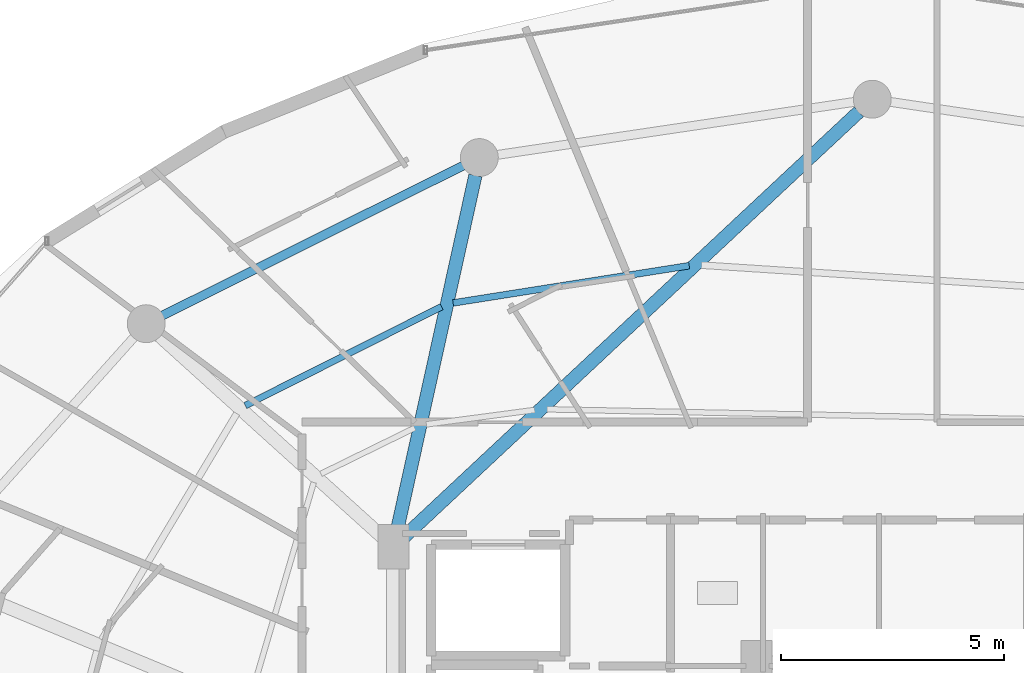
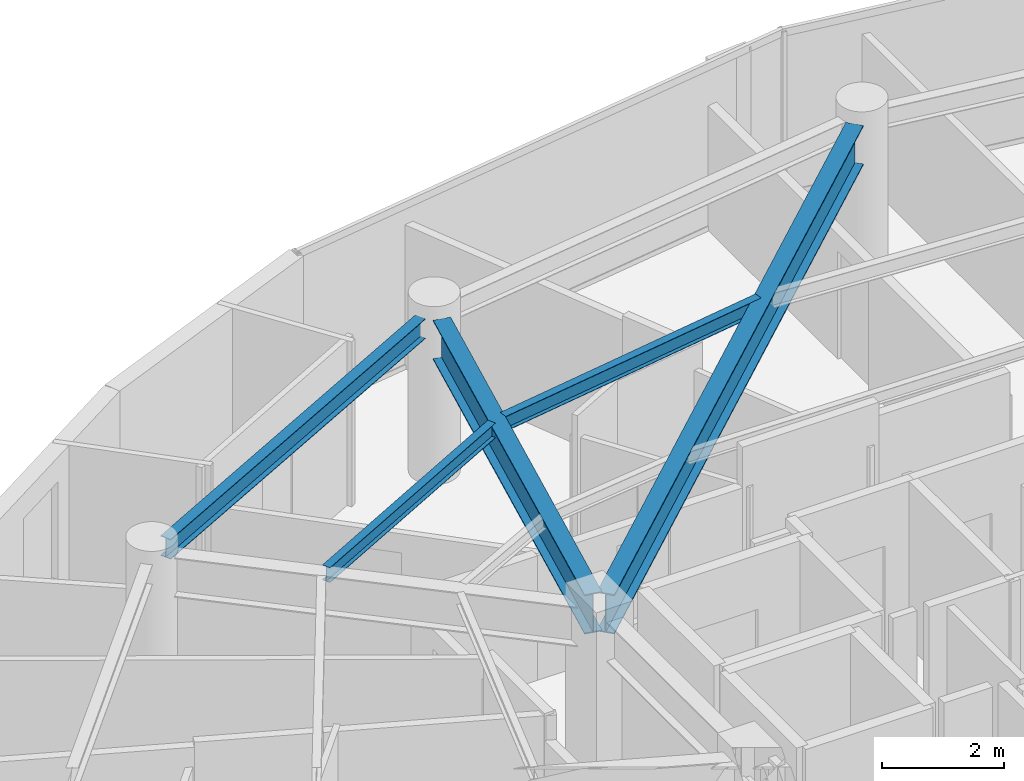
# One storey, part 17 of 31: 5 beams.
"""IFC4 building model written with IfcOpenShell, lengths in metres."""

from ifc_helpers import new_model, si_unit, direction, frame, origin, origin_2d, place, context, subcontext, project, spatial, i_section, extrude, material, material_profile, profile_set, type_object, element, save


model = new_model("IFC4")

# Units and contexts
model_context = context("Model", 3, precision=1e-05, world=origin(), true_north=direction((0.0, 1.0)))
body_context = subcontext(model_context, "Body", "Model", "MODEL_VIEW")
ifc_project = project(units=[si_unit("LENGTHUNIT", "METRE"), si_unit("AREAUNIT", "SQUARE_METRE"), si_unit("VOLUMEUNIT", "CUBIC_METRE"), si_unit("PLANEANGLEUNIT", "RADIAN"), si_unit("MASSUNIT", "GRAM", prefix="KILO")], contexts=[model_context])

# Site, building, storey
site_placement = place(None, origin())
site = spatial("IfcSite", under=ifc_project, at=site_placement, CompositionType="ELEMENT")
building_placement = place(site_placement, origin())
building = spatial("IfcBuilding", under=site, at=building_placement, Name="Vorneva Point Tower", CompositionType="ELEMENT")
storey_placement = place(building_placement, frame((0.0, 0.0, 248.449951171875)))
storey = spatial("IfcBuildingStorey", under=building, at=storey_placement, Name="L67", CompositionType="ELEMENT", Elevation=248.449951171875)

# Beams
ifc_material = material(Name="Steel S355", Category="steel")
ifc_material_profile_1 = material_profile(ifc_material, i_section(OverallWidth=0.300048828125, OverallDepth=0.7880859375, WebThickness=0.014404296875, FlangeThickness=0.02197265625, at=origin_2d()), Name="80Sh1")
ifc_profile_set_1 = profile_set([ifc_material_profile_1], Name="Steel S355")
beam_type_1 = type_object("IfcBeamType", Name="BM-GRD-80Sh1", PredefinedType="USERDEFINED", material=ifc_profile_set_1)
beam_1_placement = place(storey_placement, frame((37.6982421875, 42.91796875, 2.89599609375), z_axis=(-0.730485790946, -0.682927894602, 0.0), x_axis=(0.682927894602, -0.730485790946, 0.0)))
element("IfcBeam", 1, at=beam_1_placement, inside=storey, type_object=beam_type_1, Name="L67 Radial Primary Girder 05", ObjectType="GIRDER", PredefinedType="USERDEFINED", context=body_context, shape_type="SweptSolid", body=[
    extrude(i_section(OverallWidth=0.300048828125, OverallDepth=0.7880859375, WebThickness=0.014404296875, FlangeThickness=0.02197265625, at=origin_2d()), origin(), (0.0, 0.0, 1.0), 13.963134765625),
])
beam_2_placement = place(storey_placement, frame((29.090087890625, 41.4873046875, 2.89599609375), z_axis=(-0.215520742957, -0.976499262342, 0.0), x_axis=(0.976499262342, -0.215520742957, 0.0)))
element("IfcBeam", 2, at=beam_2_placement, inside=storey, type_object=beam_type_1, Name="L67 Radial Primary Girder 06", ObjectType="GIRDER", PredefinedType="USERDEFINED", context=body_context, shape_type="SweptSolid", body=[
    extrude(i_section(OverallWidth=0.300048828125, OverallDepth=0.7880859375, WebThickness=0.014404296875, FlangeThickness=0.02197265625, at=origin_2d()), origin(), (0.0, 0.0, 1.0), 8.197998046875),
])
ifc_material_profile_2 = material_profile(ifc_material, i_section(OverallWidth=0.14892578125, OverallDepth=0.298095703125, WebThickness=0.005615234375, FlangeThickness=0.008056640625, at=origin_2d()), Name="30B1")
ifc_profile_set_2 = profile_set([ifc_material_profile_2], Name="Steel S355")
beam_type_2 = type_object("IfcBeamType", Name="BM-JST-30B1", PredefinedType="JOIST", material=ifc_profile_set_2)
beam_3_placement = place(storey_placement, frame((33.889892578125, 39.463623046875, 3.14111328125), z_axis=(-0.987765916795, -0.15594387971, 0.0), x_axis=(0.15594387971, -0.987765916795, 0.0)))
element("IfcBeam", 3, at=beam_3_placement, inside=storey, type_object=beam_type_2, Name="L67 Secondary Floor Beam 1.05", PredefinedType="JOIST", context=body_context, shape_type="SweptSolid", body=[
    extrude(i_section(OverallWidth=0.14892578125, OverallDepth=0.298095703125, WebThickness=0.005615234375, FlangeThickness=0.008056640625, at=origin_2d()), origin(), (0.0, 0.0, 1.0), 5.365234375),
])
beam_4_placement = place(storey_placement, frame((28.330810546875, 38.54345703125, 3.14111328125), z_axis=(-0.893046523207, -0.449964340129, 0.0), x_axis=(0.449964340129, -0.893046523207, 0.0)))
element("IfcBeam", 4, at=beam_4_placement, inside=storey, type_object=beam_type_2, Name="L67 Secondary Floor Beam 1.06", PredefinedType="JOIST", context=body_context, shape_type="SweptSolid", body=[
    extrude(i_section(OverallWidth=0.14892578125, OverallDepth=0.298095703125, WebThickness=0.005615234375, FlangeThickness=0.008056640625, at=origin_2d()), origin(), (0.0, 0.0, 1.0), 4.930908203125),
])
ifc_material_profile_3 = material_profile(ifc_material, i_section(OverallWidth=0.198974609375, OverallDepth=0.39599609375, WebThickness=0.007080078125, FlangeThickness=0.010986328125, at=origin_2d()), Name="40B1")
ifc_profile_set_3 = profile_set([ifc_material_profile_3], Name="Steel S355")
beam_type_3 = type_object("IfcBeamType", Name="BM-SPN-40B1", PredefinedType="SPANDREL", material=ifc_profile_set_3)
beam_5_placement = place(storey_placement, frame((28.812255859375, 41.707763671875, 3.092041015625), z_axis=(-0.894932011528, -0.446202526599, 0.0), x_axis=(0.446202526599, -0.894932011528, 0.0)))
element("IfcBeam", 5, at=beam_5_placement, inside=storey, type_object=beam_type_3, Name="L67 Perimeter Spandrel Ring Beam 06", PredefinedType="SPANDREL", context=body_context, shape_type="SweptSolid", body=[
    extrude(i_section(OverallWidth=0.198974609375, OverallDepth=0.39599609375, WebThickness=0.007080078125, FlangeThickness=0.010986328125, at=origin_2d()), origin(), (0.0, 0.0, 1.0), 7.535888671875),
])

save(model, "model.ifc")
